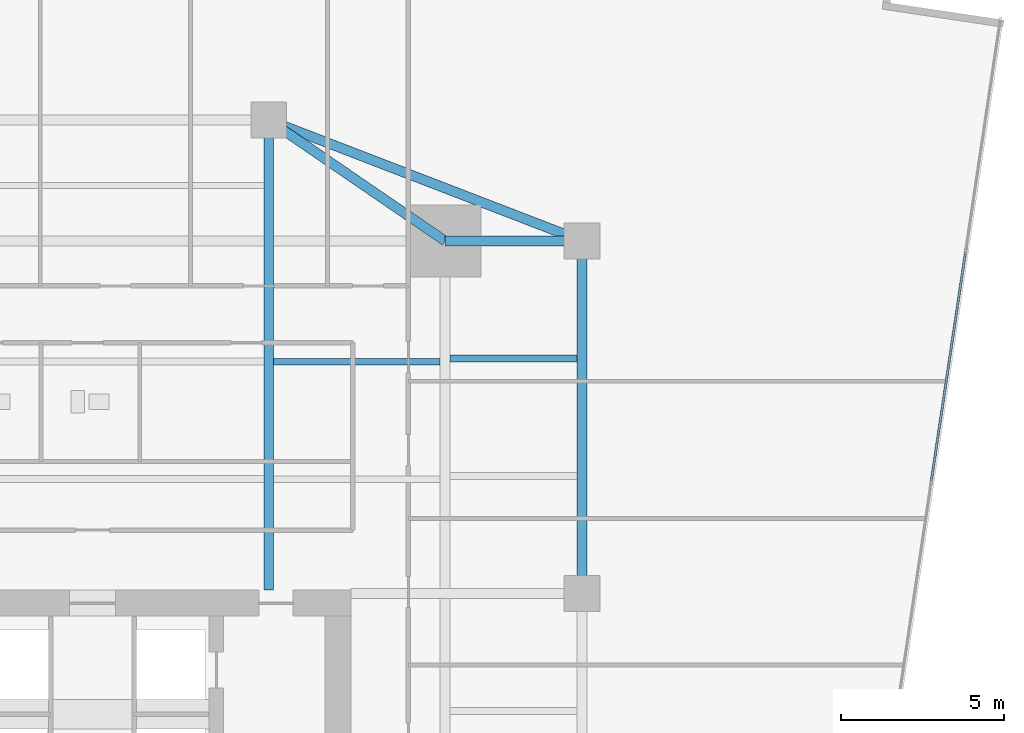
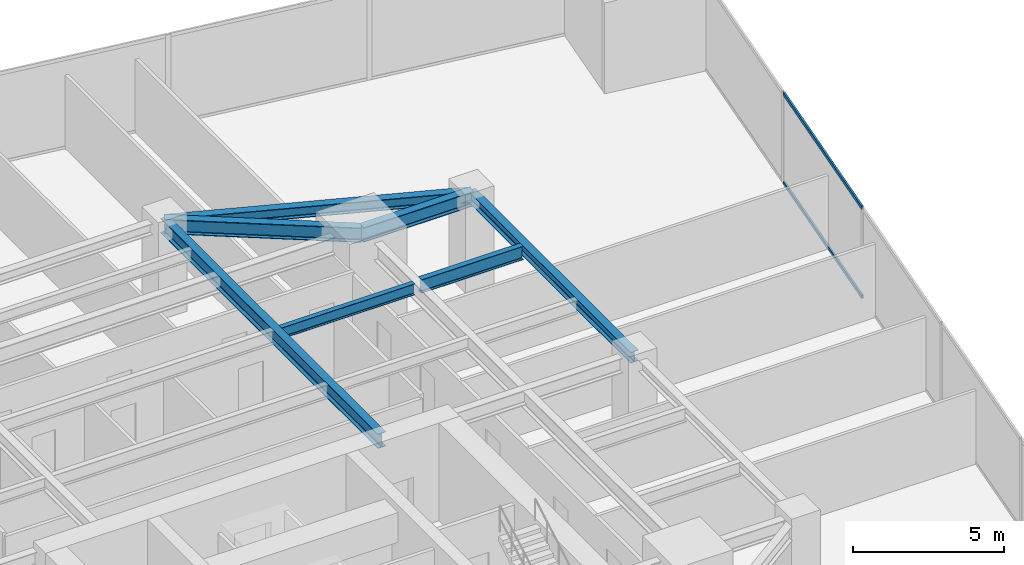
# One storey, part 20 of 29: 7 beams, 2 members, 1 element without a shape of its own.
"""IFC4 building model written with IfcOpenShell, lengths in metres."""

from ifc_helpers import new_model, si_unit, direction, frame, origin, origin_2d, place, context, subcontext, project, spatial, hollow_rectangle, i_section, extrude, source, transform, mapped, material, material_profile, profile_set, type_object, type_shapes, element, aggregate, save


model = new_model("IFC4")

# Units and contexts
model_context = context("Model", 3, precision=1e-05, world=origin(), true_north=direction((0.0, 1.0)))
body_context = subcontext(model_context, "Body", "Model", "MODEL_VIEW")
ifc_project = project(units=[si_unit("LENGTHUNIT", "METRE"), si_unit("AREAUNIT", "SQUARE_METRE"), si_unit("VOLUMEUNIT", "CUBIC_METRE"), si_unit("PLANEANGLEUNIT", "RADIAN"), si_unit("MASSUNIT", "GRAM", prefix="KILO")], contexts=[model_context])

# Site, building, storey
site_placement = place(None, origin())
site = spatial("IfcSite", under=ifc_project, at=site_placement, CompositionType="ELEMENT")
building_placement = place(site_placement, origin())
building = spatial("IfcBuilding", under=site, at=building_placement, Name="Krantzveldt Concourse Tower", CompositionType="ELEMENT")
storey_placement = place(building_placement, frame((0.0, 0.0, 68.449951171875)))
storey = spatial("IfcBuildingStorey", under=building, at=storey_placement, Name="L16", CompositionType="ELEMENT", Elevation=68.449951171875)

# Beams
ifc_material_1 = material(Name="Steel S355JR", Category="steel")
ifc_material_profile_1 = material_profile(ifc_material_1, i_section(OverallWidth=0.300048828125, OverallDepth=0.590087890625, WebThickness=0.012939453125, FlangeThickness=0.02490234375, FilletRadius=0.027099609375, at=origin_2d()), Name="Steel S355JR", Category="steel")
ifc_profile_set_1 = profile_set([ifc_material_profile_1], Name="Steel S355JR - HEA 600")
beam_type_1 = type_object("IfcBeamType", Name="BM-B-HEA600", PredefinedType="BEAM", material=ifc_profile_set_1)
shared_shape_1 = source(origin(), body_context, "Body", "SweptSolid", [
    extrude(i_section(OverallWidth=0.300048828125, OverallDepth=0.590087890625, WebThickness=0.012939453125, FlangeThickness=0.02490234375, FilletRadius=0.027099609375, at=origin_2d()), origin(), (0.0, 0.0, 1.0), 14.39990234375),
])
beam_1_placement = place(storey_placement, frame((41.39990234375, 26.800048828125, 3.375), z_axis=(0.0, 1.0, 0.0), x_axis=(-1.0, 0.0, 0.0)))
element("IfcBeam", 1, at=beam_1_placement, inside=storey, type_object=beam_type_1, Name="L16 Tower Girder BG-CNE", PredefinedType="BEAM", context=body_context, shape_type="MappedRepresentation", body=[
    mapped(shared_shape_1, transform((0.0, 0.0, 0.0), x_axis=(1.0, 0.0, 0.0), y_axis=(0.0, 1.0, 0.0), z_axis=(0.0, 0.0, 1.0), scale=1.0)),
])
ifc_material_profile_2 = material_profile(ifc_material_1, i_section(OverallWidth=0.300048828125, OverallDepth=0.43994140625, WebThickness=0.011474609375, FlangeThickness=0.02099609375, FilletRadius=0.027099609375, at=origin_2d()), Name="Steel S355JR", Category="steel")
ifc_profile_set_2 = profile_set([ifc_material_profile_2], Name="Steel S355JR - HEA 450")
beam_type_2 = type_object("IfcBeamType", Name="BM-SP-HEA450", PredefinedType="SPANDREL", material=ifc_profile_set_2)
shared_shape_2 = source(origin(), body_context, "Body", "SweptSolid", [
    extrude(i_section(OverallWidth=0.300048828125, OverallDepth=0.43994140625, WebThickness=0.011474609375, FlangeThickness=0.02099609375, FilletRadius=0.027099609375, at=origin_2d()), origin(), (0.0, 0.0, 1.0), 10.800048828125),
])
beam_2_placement = place(storey_placement, frame((51.0, 37.5, 3.449951171875), z_axis=(0.0, -1.0, 0.0), x_axis=(1.0, 0.0, 0.0)))
element("IfcBeam", 2, at=beam_2_placement, inside=storey, type_object=beam_type_2, Name="L16 Tower Girder SP-R06", PredefinedType="SPANDREL", context=body_context, shape_type="MappedRepresentation", body=[
    mapped(shared_shape_2, transform((0.0, 0.0, 0.0), x_axis=(1.0, 0.0, 0.0), y_axis=(0.0, 1.0, 0.0), z_axis=(0.0, 0.0, 1.0), scale=1.0)),
])
shared_shape_3 = source(origin(), body_context, "Body", "SweptSolid", [
    extrude(i_section(OverallWidth=0.300048828125, OverallDepth=0.43994140625, WebThickness=0.011474609375, FlangeThickness=0.02099609375, FilletRadius=0.027099609375, at=origin_2d()), origin(), (0.0, 0.0, 1.0), 10.288330078125),
])
type_shapes(beam_type_2, [shared_shape_2, shared_shape_3])
beam_3_placement = place(storey_placement, frame((41.39990234375, 41.199951171875, 3.449951171875), z_axis=(0.933097690408, -0.359622997257, 0.0), x_axis=(0.359622997257, 0.933097690408, 0.0)))
element("IfcBeam", 3, at=beam_3_placement, inside=storey, type_object=beam_type_2, Name="L16 Tower Girder SP-R05", PredefinedType="SPANDREL", context=body_context, shape_type="MappedRepresentation", body=[
    mapped(shared_shape_3, transform((0.0, 0.0, 0.0), x_axis=(1.0, 0.0, 0.0), y_axis=(0.0, 1.0, 0.0), z_axis=(0.0, 0.0, 1.0), scale=1.0)),
])
shared_shape_4 = source(origin(), body_context, "Body", "SweptSolid", [
    extrude(i_section(OverallWidth=0.300048828125, OverallDepth=0.590087890625, WebThickness=0.012939453125, FlangeThickness=0.02490234375, FilletRadius=0.027099609375, at=origin_2d()), origin(), (0.0, 0.0, 1.0), 4.199951171875),
])
beam_4_placement = place(storey_placement, frame((46.800048828125, 37.5, 3.375), z_axis=(1.0, 0.0, 0.0), x_axis=(0.0, 1.0, 0.0)))
element("IfcBeam", 4, at=beam_4_placement, inside=storey, type_object=beam_type_1, Name="L16 Tower Girder BR-RR3", PredefinedType="BEAM", context=body_context, shape_type="MappedRepresentation", body=[
    mapped(shared_shape_4, transform((0.0, 0.0, 0.0), x_axis=(1.0, 0.0, 0.0), y_axis=(0.0, 1.0, 0.0), z_axis=(0.0, 0.0, 1.0), scale=1.0)),
])
shared_shape_5 = source(origin(), body_context, "Body", "SweptSolid", [
    extrude(i_section(OverallWidth=0.300048828125, OverallDepth=0.590087890625, WebThickness=0.012939453125, FlangeThickness=0.02490234375, FilletRadius=0.027099609375, at=origin_2d()), origin(), (0.0, 0.0, 1.0), 6.546142578125),
])
type_shapes(beam_type_1, [shared_shape_1, shared_shape_4, shared_shape_5])
beam_5_placement = place(storey_placement, frame((46.800048828125, 37.5, 3.375), z_axis=(-0.824942999484, 0.565215930068, 0.0), x_axis=(-0.565215930068, -0.824942999484, 0.0)))
element("IfcBeam", 5, at=beam_5_placement, inside=storey, type_object=beam_type_1, Name="L16 Tower Girder BR-RR4", PredefinedType="BEAM", context=body_context, shape_type="MappedRepresentation", body=[
    mapped(shared_shape_5, transform((0.0, 0.0, 0.0), x_axis=(1.0, 0.0, 0.0), y_axis=(0.0, 1.0, 0.0), z_axis=(0.0, 0.0, 1.0), scale=1.0)),
])
ifc_material_profile_3 = material_profile(ifc_material_1, i_section(OverallWidth=0.18994140625, OverallDepth=0.449951171875, WebThickness=0.009521484375, FlangeThickness=0.0146484375, FilletRadius=0.02099609375, at=origin_2d()), Name="Steel S355JR", Category="steel")
ifc_profile_set_3 = profile_set([ifc_material_profile_3], Name="Steel S355JR - IPE 450")
beam_type_3 = type_object("IfcBeamType", Name="BM-J-IPE450", PredefinedType="JOIST", material=ifc_profile_set_3)
shared_shape_6 = source(origin(), body_context, "Body", "SweptSolid", [
    extrude(i_section(OverallWidth=0.18994140625, OverallDepth=0.449951171875, WebThickness=0.009521484375, FlangeThickness=0.0146484375, FilletRadius=0.02099609375, at=origin_2d()), origin(), (0.0, 0.0, 1.0), 5.099853515625),
])
type_shapes(beam_type_3, [shared_shape_6])
beam_6_placement = place(storey_placement, frame((41.550048828125, 33.800048828125, 3.445068359375), z_axis=(1.0, 0.0, 0.0), x_axis=(0.0, 1.0, 0.0)))
element("IfcBeam", 6, at=beam_6_placement, inside=storey, type_object=beam_type_3, Name="L16 Secondary Floor Joist JN-E2", PredefinedType="JOIST", context=body_context, shape_type="MappedRepresentation", body=[
    mapped(shared_shape_6, transform((0.0, 0.0, 0.0), x_axis=(1.0, 0.0, 0.0), y_axis=(0.0, 1.0, 0.0), z_axis=(0.0, 0.0, 1.0), scale=1.0)),
])
ifc_material_profile_4 = material_profile(ifc_material_1, i_section(OverallWidth=0.2099609375, OverallDepth=0.550048828125, WebThickness=0.010986328125, FlangeThickness=0.01708984375, FilletRadius=0.02392578125, at=origin_2d()), Name="Steel S355JR", Category="steel")
ifc_profile_set_4 = profile_set([ifc_material_profile_4], Name="Steel S355JR - IPE 550")
beam_type_4 = type_object("IfcBeamType", Name="BM-J-IPE550", PredefinedType="JOIST", material=ifc_profile_set_4)
shared_shape_7 = source(origin(), body_context, "Body", "SweptSolid", [
    extrude(i_section(OverallWidth=0.2099609375, OverallDepth=0.550048828125, WebThickness=0.010986328125, FlangeThickness=0.01708984375, FilletRadius=0.02392578125, at=origin_2d()), origin(), (0.0, 0.0, 1.0), 3.900146484375),
])
type_shapes(beam_type_4, [shared_shape_7])
beam_7_placement = place(storey_placement, frame((46.949951171875, 33.89990234375, 3.39501953125), z_axis=(1.0, 0.0, 0.0), x_axis=(0.0, 1.0, 0.0)))
element("IfcBeam", 7, at=beam_7_placement, inside=storey, type_object=beam_type_4, Name="L16 Secondary Floor Joist JE-4", PredefinedType="JOIST", context=body_context, shape_type="MappedRepresentation", body=[
    mapped(shared_shape_7, transform((0.0, 0.0, 0.0), x_axis=(1.0, 0.0, 0.0), y_axis=(0.0, 1.0, 0.0), z_axis=(0.0, 0.0, 1.0), scale=1.0)),
])

# Curtain wall, members
ifc_material_2 = material(Name="Anodised aluminium 6063-T6", Category="aluminium")
curtain_wall_type = type_object("IfcCurtainWallType", Name="CW2", PredefinedType="USERDEFINED", material=ifc_material_2)
curtain_wall_placement = place(storey_placement, origin())
curtain_wall = element("IfcCurtainWall", 8, at=curtain_wall_placement, inside=storey, type_object=curtain_wall_type, Name="CW-L16-F07", ObjectType="UNITISED CURTAIN WALL", PredefinedType="USERDEFINED")
ifc_material_profile_5 = material_profile(ifc_material_2, hollow_rectangle(XDim=0.070068359375, YDim=0.139892578125, WallThickness=0.0048828125, at=origin_2d()), Name="Anodised aluminium 6063-T6", Category="aluminium")
ifc_profile_set_5 = profile_set([ifc_material_profile_5], Name="Anodised aluminium 6063-T6 - ALU-TRAN 140x70x5")
member_type = type_object("IfcMemberType", Name="CW-TRN-150", PredefinedType="USERDEFINED", material=ifc_profile_set_5)
shared_shape_8 = source(origin(), body_context, "Body", "SweptSolid", [
    extrude(hollow_rectangle(XDim=0.070068359375, YDim=0.139892578125, WallThickness=0.0048828125, at=origin_2d()), origin(), (0.0, 0.0, 1.0), 7.0966796875),
])
type_shapes(member_type, [shared_shape_8])
member_1_placement = place(storey_placement, frame((61.700927734375, 30.140625, 0.03515625), z_axis=(0.14779033687, 0.989018713841, 0.0), x_axis=(-0.989018713841, 0.14779033687, 0.0)))
member_1 = element("IfcMember", 9, at=member_1_placement, type_object=member_type, Name="CW-Z12 transom 5.1", ObjectType="TRANSOM", PredefinedType="USERDEFINED", context=body_context, shape_type="MappedRepresentation", body=[
    mapped(shared_shape_8, transform((0.0, 0.0, 0.0), x_axis=(1.0, 0.0, 0.0), y_axis=(0.0, 1.0, 0.0), z_axis=(0.0, 0.0, 1.0), scale=1.0)),
])
member_2_placement = place(storey_placement, frame((61.700927734375, 30.140625, 3.635009765625), z_axis=(0.14779033687, 0.989018713841, 0.0), x_axis=(-0.989018713841, 0.14779033687, 0.0)))
member_2 = element("IfcMember", 10, at=member_2_placement, type_object=member_type, Name="CW-Z12 transom 5.2", ObjectType="TRANSOM", PredefinedType="USERDEFINED", context=body_context, shape_type="MappedRepresentation", body=[
    mapped(shared_shape_8, transform((0.0, 0.0, 0.0), x_axis=(1.0, 0.0, 0.0), y_axis=(0.0, 1.0, 0.0), z_axis=(0.0, 0.0, 1.0), scale=1.0)),
])
aggregate(curtain_wall, [member_1, member_2])

save(model, "model.ifc")
